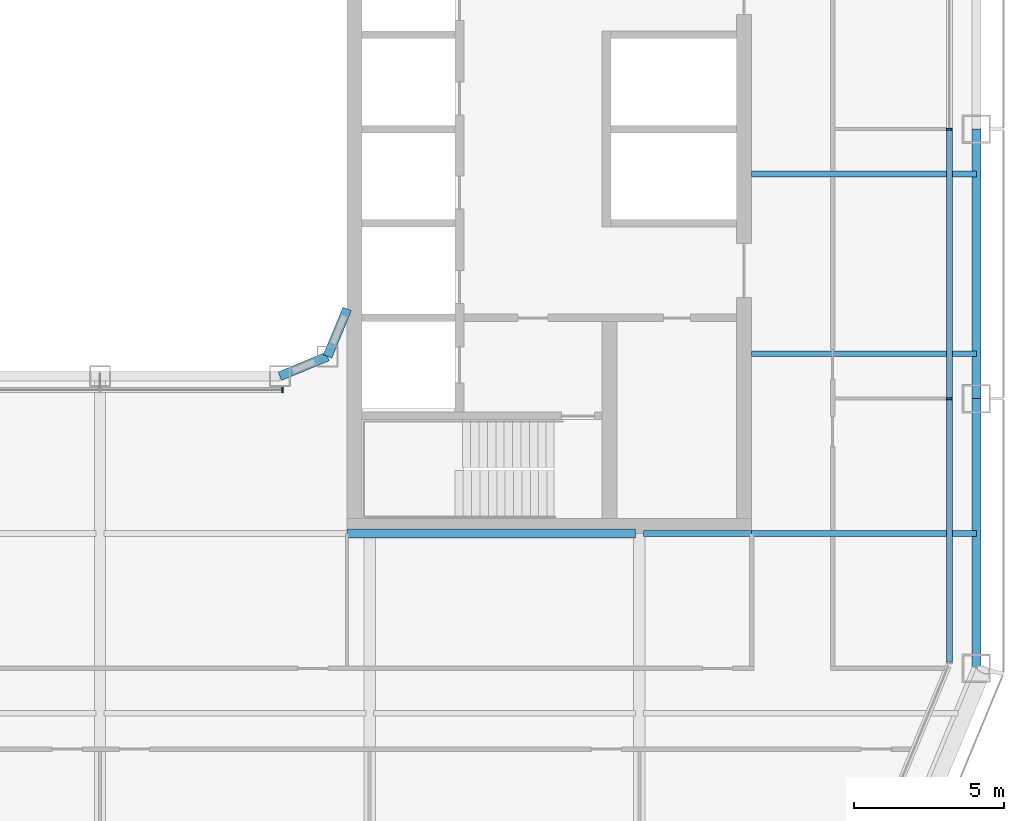
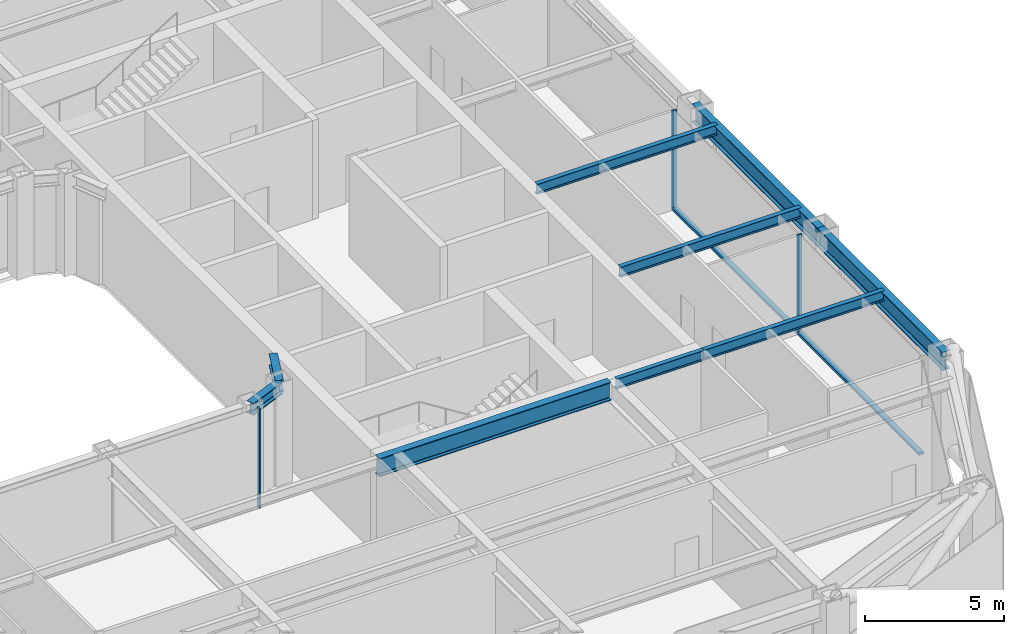
# One storey, part 5 of 23: 9 beams, 5 members, 2 elements without a shape of their own.
"""IFC4 building model written with IfcOpenShell, lengths in metres."""

import ifcopenshell
import ifcopenshell.guid

model = None  # the IFC model being written
_history = None  # IfcOwnerHistory: only IFC2X3 demands one
_inside = {}  # id of a spatial element -> (the spatial element, [elements in it])
_under = {}  # id of a project, library or spatial element -> (it, [spatial elements below it])
_declared = {}  # id of a project -> (the project, [libraries it declares])
_typed = {}  # id of a type object -> (the type object, [elements of that type])
_made_of = {}  # id of a material, layer set ... -> (it, [elements and type objects made of it])


def new_model(schema):
    """Start an empty IFC model of exactly this schema.

    Asked for "IFC4X3", IfcOpenShell would pick the latest addendum, in which some entities
    have other attributes; the version numbers below select the first issue.
    IFC2X3 requires an IfcOwnerHistory on every rooted entity: one is made here for all.
    """
    global model, _history
    if schema == "IFC4X3":
        model = ifcopenshell.file(schema_version=(4, 3, 0, 0))
    else:
        model = ifcopenshell.file(schema=schema)
    _inside.clear()
    _under.clear()
    _declared.clear()
    _typed.clear()
    _made_of.clear()
    _history = None
    if model.schema == "IFC2X3":
        org = make("IfcOrganization", Name="unknown")
        user = make(
            "IfcPersonAndOrganization",
            ThePerson=make("IfcPerson", FamilyName="unknown"),
            TheOrganization=org,
        )
        app = make(
            "IfcApplication",
            ApplicationDeveloper=org,
            Version="unknown",
            ApplicationFullName="unknown",
            ApplicationIdentifier="unknown",
        )
        _history = make(
            "IfcOwnerHistory",
            OwningUser=user,
            OwningApplication=app,
            ChangeAction="ADDED",
            CreationDate=0,
        )
    return model


def make(cls, **values):
    """One entity of the class cls with the attributes given. An attribute that is None is left unset."""
    return model.create_entity(
        cls, **{name: value for name, value in values.items() if value is not None}
    )


def rooted(cls, **values):
    """An entity with a GlobalId (a new one), such as an element, a storey or a relation."""
    return make(cls, GlobalId=ifcopenshell.guid.new(), OwnerHistory=_history, **values)


def si_unit(unit_type, name, prefix=None):
    """IfcSIUnit, for example si_unit("LENGTHUNIT", "METRE", prefix="MILLI")."""
    return make("IfcSIUnit", UnitType=unit_type, Prefix=prefix, Name=name)


def assignment(units):
    """IfcUnitAssignment: the units of a project."""
    return None if units is None else make("IfcUnitAssignment", Units=units)


def point(xyz):
    """IfcCartesianPoint."""
    return None if xyz is None else make("IfcCartesianPoint", Coordinates=xyz)


def direction(xyz):
    """IfcDirection."""
    return None if xyz is None else make("IfcDirection", DirectionRatios=xyz)


def frame(location, z_axis=None, x_axis=None):
    """IfcAxis2Placement3D, a coordinate frame: its origin and axes. An axis left out is left unset."""
    return make(
        "IfcAxis2Placement3D",
        Location=point(location),
        Axis=direction(z_axis),
        RefDirection=direction(x_axis),
    )


def frame_2d(location, x_axis=None):
    """IfcAxis2Placement2D, a coordinate frame in the plane: its origin and x axis."""
    return make(
        "IfcAxis2Placement2D", Location=point(location), RefDirection=direction(x_axis)
    )


def origin():
    """The frame at (0, 0, 0) with its axes left unset."""
    return frame((0.0, 0.0, 0.0))


def origin_2d():
    """The frame at (0, 0) in the plane with its x axis left unset."""
    return frame_2d((0.0, 0.0))


def place(relative_to, where):
    """IfcLocalPlacement: puts the frame where relative to a parent placement (None: the world)."""
    return make(
        "IfcLocalPlacement", PlacementRelTo=relative_to, RelativePlacement=where
    )


def context(
    kind, dimensions, precision=None, world=None, true_north=None, identifier=None
):
    """IfcGeometricRepresentationContext, for example the 3D "Model" context."""
    return make(
        "IfcGeometricRepresentationContext",
        ContextIdentifier=identifier,
        ContextType=kind,
        CoordinateSpaceDimension=dimensions,
        Precision=precision,
        WorldCoordinateSystem=world,
        TrueNorth=true_north,
    )


def subcontext(parent, identifier, kind, view, scale=None):
    """IfcGeometricRepresentationSubContext, for example "Body" below "Model"."""
    return make(
        "IfcGeometricRepresentationSubContext",
        ContextIdentifier=identifier,
        ContextType=kind,
        ParentContext=parent,
        TargetScale=scale,
        TargetView=view,
    )


def project(units=None, contexts=None):
    """IfcProject with its units and contexts."""
    return rooted(
        "IfcProject",
        Name="project",
        RepresentationContexts=contexts,
        UnitsInContext=assignment(units),
    )


def spatial(cls, under=None, at=None, **own):
    """A site, building, storey or space (cls), placed at a placement, below another one or the project."""
    s = rooted(cls, ObjectPlacement=at, **own)
    if under is not None:
        _under.setdefault(under.id(), (under, []))[1].append(s)
    return s


def profile(cls, at=None, kind="AREA", **sizes):
    """A parametric profile (cls). Its sizes go by their IFC names, for example OverallWidth=200.0."""
    return make(cls, ProfileType=kind, Position=at, **sizes)


def rectangle(**sizes):
    """IfcRectangleProfileDef."""
    return profile("IfcRectangleProfileDef", **sizes)


def i_section(**sizes):
    """IfcIShapeProfileDef."""
    return profile("IfcIShapeProfileDef", **sizes)


def extrude(swept, where, along, depth):
    """IfcExtrudedAreaSolid: the profile swept, set in the frame where, extruded along a direction by depth."""
    return make(
        "IfcExtrudedAreaSolid",
        SweptArea=swept,
        Position=where,
        ExtrudedDirection=direction(along),
        Depth=depth,
    )


def shape(context_of_items, identifier, shape_type, items):
    """IfcShapeRepresentation: the items that make up one representation, for example the "Body"."""
    return make(
        "IfcShapeRepresentation",
        ContextOfItems=context_of_items,
        RepresentationIdentifier=identifier,
        RepresentationType=shape_type,
        Items=items,
    )


def material(Name=None, Category=None):
    """IfcMaterial."""
    return make("IfcMaterial", Name=Name, Category=Category)


def layer(
    of_material, thickness, ventilated=None, Name=None, Category=None, Priority=None
):
    """IfcMaterialLayer: one layer of a wall or slab, of a material (None: an air gap)."""
    return make(
        "IfcMaterialLayer",
        Material=of_material,
        LayerThickness=thickness,
        IsVentilated=ventilated,
        Name=Name,
        Category=Category,
        Priority=Priority,
    )


def layer_set(layers, Name=None):
    """IfcMaterialLayerSet."""
    return make("IfcMaterialLayerSet", MaterialLayers=layers, LayerSetName=Name)


def material_profile(
    of_material, cross_section, Name=None, Category=None, Priority=None
):
    """IfcMaterialProfile: a cross section and its material."""
    return make(
        "IfcMaterialProfile",
        Name=Name,
        Material=of_material,
        Profile=cross_section,
        Priority=Priority,
        Category=Category,
    )


def profile_set(profiles, Name=None, composite=None):
    """IfcMaterialProfileSet."""
    return make(
        "IfcMaterialProfileSet",
        Name=Name,
        MaterialProfiles=profiles,
        CompositeProfile=composite,
    )


def made_of(thing, what):
    """Note that an element or type object is made of a material, layer set ...; save() writes the relation."""
    if what is not None:
        _made_of.setdefault(what.id(), (what, []))[1].append(thing)
    return thing


def type_object(cls, material=None, **own):
    """A type object (cls), such as IfcWallType, which elements share."""
    return made_of(rooted(cls, **own), material)


def element(
    cls,
    number,
    at=None,
    inside=None,
    cuts=None,
    type_object=None,
    material=None,
    context=None,
    identifier="Body",
    shape_type=None,
    held_by="IfcProductDefinitionShape",
    body=None,
    shapes=None,
    **own,
):
    """One element of the class cls, such as IfcWall. Its Tag is "e" and its number.

    at: its placement. inside: the storey or other place that contains it. cuts: it is an
    opening in that element (IfcRelVoidsElement). A single representation is given by context,
    identifier, shape_type and body (its items); several are given by shapes. held_by: the class
    of the entity that holds the representations. save() writes the other relations.
    """
    e = rooted(cls, Tag="e%d" % number, ObjectPlacement=at, **own)
    if body is not None:
        shapes = [shape(context, identifier, shape_type, body)]
    if shapes is not None:
        e.Representation = make(held_by, Representations=shapes)
    if inside is not None:
        _inside.setdefault(inside.id(), (inside, []))[1].append(e)
    if cuts is not None:
        rooted(
            "IfcRelVoidsElement", RelatingBuildingElement=cuts, RelatedOpeningElement=e
        )
    if type_object is not None:
        _typed.setdefault(type_object.id(), (type_object, []))[1].append(e)
    return made_of(e, material)


def aggregate(whole, parts):
    """IfcRelAggregates: a whole, such as a stair, and the parts it consists of."""
    return rooted("IfcRelAggregates", RelatingObject=whole, RelatedObjects=parts)


def save(model, path):
    """Write the relations noted so far, then the file.

    IfcRelAggregates (storeys below a building ...), IfcRelContainedInSpatialStructure (elements
    in a storey), IfcRelDefinesByType, IfcRelAssociatesMaterial and IfcRelDeclares: one each for
    every whole, place, type object, material and project.
    """
    for whole, parts in _under.values():
        aggregate(whole, parts)
    for where, things in _inside.values():
        rooted(
            "IfcRelContainedInSpatialStructure",
            RelatedElements=things,
            RelatingStructure=where,
        )
    for kind, things in _typed.values():
        rooted("IfcRelDefinesByType", RelatedObjects=things, RelatingType=kind)
    for what, things in _made_of.values():
        rooted("IfcRelAssociatesMaterial", RelatedObjects=things, RelatingMaterial=what)
    for by, libraries in _declared.values():
        rooted("IfcRelDeclares", RelatingContext=by, RelatedDefinitions=libraries)
    model.write(path)


model = new_model("IFC4")

# Units and contexts
model_context = context("Model", 3, precision=1e-05, world=origin(), true_north=direction((0.0, 1.0)))
body_context = subcontext(model_context, "Body", "Model", "MODEL_VIEW")
ifc_project = project(units=[si_unit("LENGTHUNIT", "METRE"), si_unit("AREAUNIT", "SQUARE_METRE"), si_unit("VOLUMEUNIT", "CUBIC_METRE"), si_unit("PLANEANGLEUNIT", "RADIAN"), si_unit("MASSUNIT", "GRAM", prefix="KILO")], contexts=[model_context])

# Site, building, storey
site_placement = place(None, origin())
site = spatial("IfcSite", under=ifc_project, at=site_placement, CompositionType="ELEMENT")
building_placement = place(site_placement, origin())
building = spatial("IfcBuilding", under=site, at=building_placement, Name="Siwar Civic Tower", CompositionType="ELEMENT")
storey_placement = place(building_placement, frame((0.0, 0.0, 118.199951171875)))
storey = spatial("IfcBuildingStorey", under=building, at=storey_placement, Name="L25", CompositionType="ELEMENT", Elevation=118.199951171875)

# Curtain wall, members
ifc_material_1 = material(Name="Aluminium and glass", Category="aluminium")
ifc_layer_1 = layer(ifc_material_1, 0.199951171875)
ifc_layer_set_1 = layer_set([ifc_layer_1], Name="Aluminium and glass")
curtain_wall_type_1 = type_object("IfcCurtainWallType", Name="ENV-CW-B", PredefinedType="NOTDEFINED", material=ifc_layer_set_1)
curtain_wall_1_placement = place(storey_placement, origin())
curtain_wall_1 = element("IfcCurtainWall", 1, at=curtain_wall_1_placement, inside=storey, type_object=curtain_wall_type_1, Name="Curtain wall B E", PredefinedType="NOTDEFINED")
ifc_material_2 = material(Name="Aluminium 6063-T6", Category="aluminium")
ifc_material_profile_1 = material_profile(ifc_material_2, rectangle(XDim=0.199951171875, YDim=0.06494140625, at=origin_2d()), Name="AL 200x65")
ifc_profile_set_1 = profile_set([ifc_material_profile_1], Name="Aluminium 6063-T6")
member_type_1 = type_object("IfcMemberType", Name="ENV-MULLION-B", PredefinedType="MULLION", material=ifc_profile_set_1)
member_1_placement = place(storey_placement, frame((28.35009765625, -9.0, 0.0), z_axis=(0.0, 0.0, 1.0), x_axis=(-1.0, 0.0, 0.0)))
member_1 = element("IfcMember", 2, at=member_1_placement, type_object=member_type_1, Name="Mullion B E 2", PredefinedType="MULLION", context=body_context, shape_type="SweptSolid", body=[
    extrude(rectangle(XDim=0.199951171875, YDim=0.06494140625, at=origin_2d()), origin(), (0.0, 0.0, 1.0), 4.35009765625),
])
member_2_placement = place(storey_placement, frame((28.35009765625, 0.0, 0.0), z_axis=(0.0, 0.0, 1.0), x_axis=(-1.0, 0.0, 0.0)))
member_2 = element("IfcMember", 3, at=member_2_placement, type_object=member_type_1, Name="Mullion B E 3", PredefinedType="MULLION", context=body_context, shape_type="SweptSolid", body=[
    extrude(rectangle(XDim=0.199951171875, YDim=0.06494140625, at=origin_2d()), origin(), (0.0, 0.0, 1.0), 4.35009765625),
])

# Curtain wall, member
ifc_material_3 = material(Name="Aluminium and glass", Category="aluminium")
ifc_layer_2 = layer(ifc_material_3, 0.179931640625)
ifc_layer_set_2 = layer_set([ifc_layer_2], Name="Aluminium and glass")
curtain_wall_type_2 = type_object("IfcCurtainWallType", Name="ENV-CW-W", PredefinedType="NOTDEFINED", material=ifc_layer_set_2)
curtain_wall_2_placement = place(storey_placement, origin())
curtain_wall_2 = element("IfcCurtainWall", 4, at=curtain_wall_2_placement, inside=storey, type_object=curtain_wall_type_2, Name="Curtain wall W WS", PredefinedType="NOTDEFINED")
ifc_material_4 = material(Name="Aluminium 6063-T6", Category="aluminium")
ifc_material_profile_2 = material_profile(ifc_material_4, rectangle(XDim=0.179931640625, YDim=0.06005859375, at=origin_2d()), Name="AL 180x60")
ifc_profile_set_2 = profile_set([ifc_material_profile_2], Name="Aluminium 6063-T6")
member_type_2 = type_object("IfcMemberType", Name="ENV-MULLION-W", PredefinedType="MULLION", material=ifc_profile_set_2)
member_3_placement = place(storey_placement, frame((6.091552734375, -8.7099609375, 0.0), z_axis=(0.0, 0.0, 1.0), x_axis=(0.0, 1.0, 0.0)))
member_3 = element("IfcMember", 5, at=member_3_placement, type_object=member_type_2, Name="Mullion W WS 3", PredefinedType="MULLION", context=body_context, shape_type="SweptSolid", body=[
    extrude(rectangle(XDim=0.179931640625, YDim=0.06005859375, at=origin_2d()), origin(), (0.0, 0.0, 1.0), 4.35009765625),
])
aggregate(curtain_wall_2, [member_3])

# Member
ifc_material_5 = material(Name="Aluminium 6063-T6", Category="aluminium")
ifc_material_profile_3 = material_profile(ifc_material_5, rectangle(XDim=0.199951171875, YDim=0.110107421875, at=origin_2d()), Name="AL 200x110")
ifc_profile_set_3 = profile_set([ifc_material_profile_3], Name="Aluminium 6063-T6")
member_type_3 = type_object("IfcMemberType", Name="ENV-TRANSOM-B", PredefinedType="USERDEFINED", material=ifc_profile_set_3)
member_4_placement = place(storey_placement, frame((28.35009765625, -17.78857421875, 0.054931640625), z_axis=(0.0, 1.0, 0.0), x_axis=(-1.0, 0.0, 0.0)))
member_4 = element("IfcMember", 6, at=member_4_placement, type_object=member_type_3, Name="Transom B E 1", ObjectType="TRANSOM", PredefinedType="USERDEFINED", context=body_context, shape_type="SweptSolid", body=[
    extrude(rectangle(XDim=0.199951171875, YDim=0.110107421875, at=origin_2d()), origin(), (0.0, 0.0, 1.0), 8.756103515625),
])

member_5_placement = place(storey_placement, frame((28.35009765625, -8.967529296875, 0.054931640625), z_axis=(0.0, 1.0, 0.0), x_axis=(-1.0, 0.0, 0.0)))
member_5 = element("IfcMember", 7, at=member_5_placement, type_object=member_type_3, Name="Transom B E 2", ObjectType="TRANSOM", PredefinedType="USERDEFINED", context=body_context, shape_type="SweptSolid", body=[
    extrude(rectangle(XDim=0.199951171875, YDim=0.110107421875, at=origin_2d()), origin(), (0.0, 0.0, 1.0), 8.93505859375),
])

aggregate(curtain_wall_1, [member_1, member_2, member_4, member_5])

# Beams
ifc_material_6 = material(Name="Steel S355", Category="steel")
ifc_material_profile_4 = material_profile(ifc_material_6, i_section(OverallWidth=0.18994140625, OverallDepth=0.449951171875, WebThickness=0.009521484375, FlangeThickness=0.0146484375, FilletRadius=0.02099609375, at=origin_2d()), Name="IPE450")
ifc_profile_set_4 = profile_set([ifc_material_profile_4], Name="Steel S355")
beam_type_1 = type_object("IfcBeamType", Name="STR-FB-IPE450", PredefinedType="JOIST", material=ifc_profile_set_4)
beam_1_placement = place(storey_placement, frame((18.1298828125, -13.5, 4.125), z_axis=(1.0, 0.0, 0.0), x_axis=(0.0, 1.0, 0.0)))
element("IfcBeam", 8, at=beam_1_placement, inside=storey, type_object=beam_type_1, Name="L25/bm/F019", PredefinedType="JOIST", context=body_context, shape_type="SweptSolid", body=[
    extrude(i_section(OverallWidth=0.18994140625, OverallDepth=0.449951171875, WebThickness=0.009521484375, FlangeThickness=0.0146484375, FilletRadius=0.02099609375, at=origin_2d()), origin(), (0.0, 0.0, 1.0), 3.6201171875),
])
for number, where, z_axis, x_axis, name in (
    (9, (21.75, -13.5, 4.125), (1.0, 0.0, 0.0), (0.0, 1.0, 0.0), "L25/bm/F020"),
    (10, (21.75, -7.5, 4.125), (1.0, 0.0, 0.0), (0.0, 1.0, 0.0), "L25/bm/F022"),
    (11, (21.75, -1.5, 4.125), (1.0, 0.0, 0.0), (0.0, 1.0, 0.0), "L25/bm/F024"),
):
    element("IfcBeam", number, at=place(storey_placement, frame(where, z_axis=z_axis, x_axis=x_axis)), inside=storey, type_object=beam_type_1, Name=name, PredefinedType="JOIST", context=body_context, shape_type="SweptSolid", body=[
        extrude(i_section(OverallWidth=0.18994140625, OverallDepth=0.449951171875, WebThickness=0.009521484375, FlangeThickness=0.0146484375, FilletRadius=0.02099609375, at=origin_2d()), origin(), (0.0, 0.0, 1.0), 7.5),
    ])
ifc_material_7 = material(Name="Steel S355", Category="steel")
ifc_material_profile_5 = material_profile(ifc_material_7, i_section(OverallWidth=0.300048828125, OverallDepth=0.800048828125, WebThickness=0.017578125, FlangeThickness=0.032958984375, FilletRadius=0.030029296875, at=origin_2d()), Name="HEB800")
ifc_profile_set_5 = profile_set([ifc_material_profile_5], Name="Steel S355")
beam_type_2 = type_object("IfcBeamType", Name="STR-PG-HEB800", PredefinedType="BEAM", material=ifc_profile_set_5)
beam_2_placement = place(storey_placement, frame((8.25, -13.5, 3.949951171875), z_axis=(1.0, 0.0, 0.0), x_axis=(0.0, 1.0, 0.0)))
element("IfcBeam", 12, at=beam_2_placement, inside=storey, type_object=beam_type_2, Name="L25/bm/F018", PredefinedType="BEAM", context=body_context, shape_type="SweptSolid", body=[
    extrude(i_section(OverallWidth=0.300048828125, OverallDepth=0.800048828125, WebThickness=0.017578125, FlangeThickness=0.032958984375, FilletRadius=0.030029296875, at=origin_2d()), origin(), (0.0, 0.0, 1.0), 9.6201171875),
])
ifc_material_8 = material(Name="Steel S355", Category="steel")
ifc_material_profile_6 = material_profile(ifc_material_8, i_section(OverallWidth=0.305908203125, OverallDepth=0.52392578125, WebThickness=0.02099609375, FlangeThickness=0.0400390625, FilletRadius=0.027099609375, at=origin_2d()), Name="HEM500")
ifc_profile_set_6 = profile_set([ifc_material_profile_6], Name="Steel S355")
beam_type_3 = type_object("IfcBeamType", Name="STR-RB-HEM500", PredefinedType="BEAM", material=ifc_profile_set_6)
for number, where, z_axis, x_axis, name in (
    (13, (6.0, -8.25, 4.088134765625), (0.923901072997, 0.382631424892, 0.0), (-0.382631424892, 0.923901072997, 0.0), "L25/bm/RS3"),
    (14, (7.591064453125, -7.591064453125, 4.088134765625), (0.382631424892, 0.923901072997, 0.0), (-0.923901072997, 0.382631424892, 0.0), "L25/bm/RSEE"),
):
    element("IfcBeam", number, at=place(storey_placement, frame(where, z_axis=z_axis, x_axis=x_axis)), inside=storey, type_object=beam_type_3, Name=name, PredefinedType="BEAM", context=body_context, shape_type="SweptSolid", body=[
        extrude(i_section(OverallWidth=0.305908203125, OverallDepth=0.52392578125, WebThickness=0.02099609375, FlangeThickness=0.0400390625, FilletRadius=0.027099609375, at=origin_2d()), origin(), (0.0, 0.0, 1.0), 1.72216796875),
    ])
ifc_material_9 = material(Name="Steel S355", Category="steel")
ifc_material_profile_7 = material_profile(ifc_material_9, i_section(OverallWidth=0.300048828125, OverallDepth=0.800048828125, WebThickness=0.017578125, FlangeThickness=0.032958984375, FilletRadius=0.030029296875, at=origin_2d()), Name="HEB800")
ifc_profile_set_7 = profile_set([ifc_material_profile_7], Name="Steel S355")
beam_type_4 = type_object("IfcBeamType", Name="STR-SB-HEB800", PredefinedType="BEAM", material=ifc_profile_set_7)
for number, where, z_axis, x_axis, name in (
    (15, (29.25, -18.0, 3.949951171875), (0.0, 1.0, 0.0), (-1.0, 0.0, 0.0), "L25/bm/SE-0"),
    (16, (29.25, -9.0, 3.949951171875), (0.0, 1.0, 0.0), (-1.0, 0.0, 0.0), "L25/bm/SE-1"),
):
    element("IfcBeam", number, at=place(storey_placement, frame(where, z_axis=z_axis, x_axis=x_axis)), inside=storey, type_object=beam_type_4, Name=name, PredefinedType="BEAM", context=body_context, shape_type="SweptSolid", body=[
        extrude(i_section(OverallWidth=0.300048828125, OverallDepth=0.800048828125, WebThickness=0.017578125, FlangeThickness=0.032958984375, FilletRadius=0.030029296875, at=origin_2d()), origin(), (0.0, 0.0, 1.0), 9.0),
    ])

save(model, "model.ifc")
